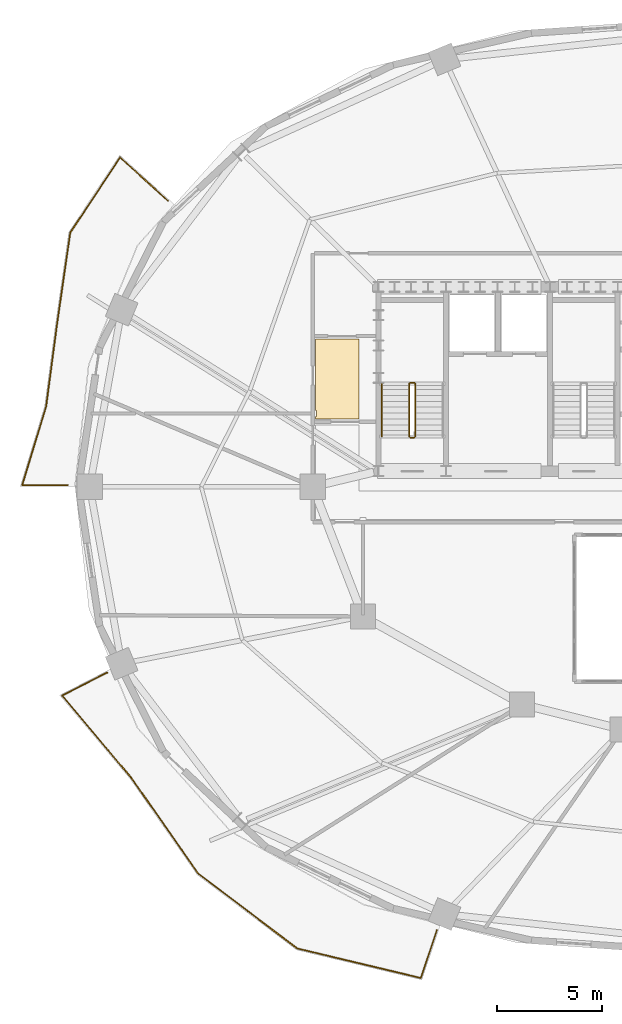
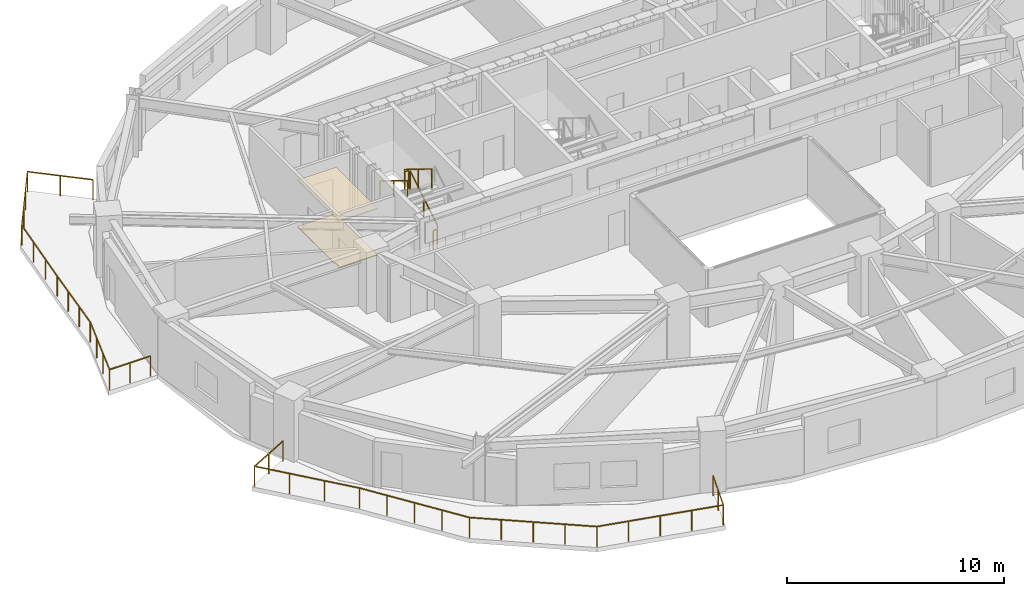
# One storey, part 10 of 12: 7 railings, 2 coverings.
"""IFC4 building model written with IfcOpenShell, lengths in metres."""

from ifc_helpers import new_model, si_unit, direction, frame, origin, origin_2d, place, context, subcontext, project, spatial, polyline, rectangle, outline, extrude, material, layer, layer_set, type_object, element, save


model = new_model("IFC4")

# Units and contexts
model_context = context("Model", 3, precision=1e-05, world=origin(), true_north=direction((0.0, 1.0)))
body_context = subcontext(model_context, "Body", "Model", "MODEL_VIEW")
ifc_project = project(units=[si_unit("LENGTHUNIT", "METRE"), si_unit("AREAUNIT", "SQUARE_METRE"), si_unit("VOLUMEUNIT", "CUBIC_METRE"), si_unit("PLANEANGLEUNIT", "RADIAN"), si_unit("MASSUNIT", "GRAM", prefix="KILO")], contexts=[model_context])

# Site, building, storey
site_placement = place(None, origin())
site = spatial("IfcSite", under=ifc_project, at=site_placement, CompositionType="ELEMENT")
building_placement = place(site_placement, origin())
building = spatial("IfcBuilding", under=site, at=building_placement, Name="Haldorwick Loom Tower", CompositionType="ELEMENT")
storey_placement = place(building_placement, frame((0.0, 0.0, 113.89990234375)))
storey = spatial("IfcBuildingStorey", under=building, at=storey_placement, Name="L30", CompositionType="ELEMENT", Elevation=113.89990234375)

# Coverings
ifc_material_1 = material(Name="Mineral Fibre Acoustic Ceiling Tile")
ifc_layer_1 = layer(ifc_material_1, 0.054931640625, Name="Mineral Fibre Acoustic Ceiling Tile")
ifc_layer_set_1 = layer_set([ifc_layer_1], Name="Mineral Fibre Acoustic Ceiling Tile")
covering_type_1 = type_object("IfcCoveringType", Name="ARC-COV-CEIL2", PredefinedType="CEILING", material=ifc_layer_set_1)
covering_1_placement = place(storey_placement, frame((0.0, 0.0, 2.59521484375)))
element("IfcCovering", 1, at=covering_1_placement, inside=storey, type_object=covering_type_1, Name="L30 Acoustic Suspended Ceiling 2", PredefinedType="CEILING", context=body_context, shape_type="SweptSolid", body=[
    extrude(outline(polyline([(18.969970703125, 29.639892578125), (18.971923828125, 29.639892578125), (18.973876953125, 29.6396484375), (18.975830078125, 29.63916015625), (18.977783203125, 29.638427734375), (18.9794921875, 29.6376953125), (18.981201171875, 29.63671875), (18.982666015625, 29.635498046875), (18.984130859375, 29.634033203125), (18.985595703125, 29.6328125), (18.986572265625, 29.631103515625), (18.987548828125, 29.62939453125), (18.988525390625, 29.627685546875), (18.989013671875, 29.625732421875), (18.989501953125, 29.623779296875), (18.989990234375, 29.6220703125), (18.989990234375, 29.6201171875), (18.989990234375, 29.3798828125), (18.989990234375, 29.3779296875), (18.989501953125, 29.376220703125), (18.989013671875, 29.374267578125), (18.988525390625, 29.372314453125), (18.987548828125, 29.37060546875), (18.986572265625, 29.368896484375), (18.985595703125, 29.3671875), (18.984130859375, 29.365966796875), (18.982666015625, 29.364501953125), (18.981201171875, 29.36328125), (18.9794921875, 29.3623046875), (18.977783203125, 29.361572265625), (18.975830078125, 29.36083984375), (18.973876953125, 29.3603515625), (18.971923828125, 29.360107421875), (18.969970703125, 29.360107421875), (18.93994140625, 29.360107421875), (18.93994140625, 29.239990234375), (21.0, 29.239990234375), (21.0, 33.06005859375), (18.93994140625, 33.06005859375), (18.93994140625, 29.639892578125), (18.969970703125, 29.639892578125)])), origin(), (0.0, 0.0, 1.0), 0.054931640625),
])
ifc_material_2 = material(Name="Polished Aggregate Terrazzo Finish")
ifc_layer_2 = layer(ifc_material_2, 0.044921875, Name="Polished Aggregate Terrazzo Finish")
ifc_layer_set_2 = layer_set([ifc_layer_2], Name="Polished Aggregate Terrazzo Finish")
covering_type_2 = type_object("IfcCoveringType", Name="ARC-COV-FLOOR2", PredefinedType="FLOORING", material=ifc_layer_set_2)
covering_2_placement = place(storey_placement, origin())
element("IfcCovering", 2, at=covering_2_placement, inside=storey, type_object=covering_type_2, Name="L30 Floor Finish 2", PredefinedType="FLOORING", context=body_context, shape_type="SweptSolid", body=[
    extrude(outline(polyline([(18.969970703125, 29.639892578125), (18.971923828125, 29.639892578125), (18.973876953125, 29.6396484375), (18.975830078125, 29.63916015625), (18.977783203125, 29.638427734375), (18.9794921875, 29.6376953125), (18.981201171875, 29.63671875), (18.982666015625, 29.635498046875), (18.984130859375, 29.634033203125), (18.985595703125, 29.6328125), (18.986572265625, 29.631103515625), (18.987548828125, 29.62939453125), (18.988525390625, 29.627685546875), (18.989013671875, 29.625732421875), (18.989501953125, 29.623779296875), (18.989990234375, 29.6220703125), (18.989990234375, 29.6201171875), (18.989990234375, 29.3798828125), (18.989990234375, 29.3779296875), (18.989501953125, 29.376220703125), (18.989013671875, 29.374267578125), (18.988525390625, 29.372314453125), (18.987548828125, 29.37060546875), (18.986572265625, 29.368896484375), (18.985595703125, 29.3671875), (18.984130859375, 29.365966796875), (18.982666015625, 29.364501953125), (18.981201171875, 29.36328125), (18.9794921875, 29.3623046875), (18.977783203125, 29.361572265625), (18.975830078125, 29.36083984375), (18.973876953125, 29.3603515625), (18.971923828125, 29.360107421875), (18.969970703125, 29.360107421875), (18.93994140625, 29.360107421875), (18.93994140625, 29.239990234375), (21.0, 29.239990234375), (21.0, 33.06005859375), (18.93994140625, 33.06005859375), (18.93994140625, 29.639892578125), (18.969970703125, 29.639892578125)])), origin(), (0.0, 0.0, 1.0), 0.045166015625),
])

# Railings
ifc_material_3 = material(Name="Galvanized Steel CSA G40.21 350W", Category="steel")
railing_type_1 = type_object("IfcRailingType", Name="ARC-RLG-BAL115", PredefinedType="BALUSTRADE", material=ifc_material_3)
railing_1_placement = place(storey_placement, frame((24.728271484375, 4.805908203125, 0.0)))
element("IfcRailing", 3, at=railing_1_placement, inside=storey, type_object=railing_type_1, Name="L30 Outdoor Terrace Guardrail SLB-L30-BAL_SW-1", PredefinedType="BALUSTRADE", context=body_context, shape_type="SweptSolid", body=[
    extrude(rectangle(XDim=0.048095703125, YDim=0.048095703125, at=origin_2d()), frame((0.0, 0.0, 1.1259765625), z_axis=(-0.318238910111, -0.948010546403, 0.0), x_axis=(0.948010546403, -0.318238910111, 0.0)), (0.0, 0.0, 1.0), 2.40283203125),
    extrude(rectangle(XDim=0.048095703125, YDim=0.048095703125, at=origin_2d()), frame((-0.7646484375, -2.27783203125, 1.1259765625), z_axis=(-0.972594900336, 0.232506257638, 0.0), x_axis=(-0.232506257638, -0.972594900336, 0.0)), (0.0, 0.0, 1.0), 6.073486328125),
    extrude(rectangle(XDim=0.048095703125, YDim=0.048095703125, at=origin_2d()), frame((-6.671630859375, -0.86572265625, 1.1259765625), z_axis=(-0.797775550667, 0.602954534569, 0.0), x_axis=(-0.602954534569, -0.797775550667, 0.0)), (0.0, 0.0, 1.0), 5.914794921875),
    extrude(rectangle(XDim=0.048095703125, YDim=0.048095703125, at=origin_2d()), frame((-11.390380859375, 2.70068359375, 1.1259765625), z_axis=(-0.573128302609, 0.819465648303, 0.0), x_axis=(-0.819465648303, -0.573128302609, 0.0)), (0.0, 0.0, 1.0), 5.5927734375),
    extrude(rectangle(XDim=0.048095703125, YDim=0.048095703125, at=origin_2d()), frame((-14.595703125, 7.28369140625, 1.1259765625), z_axis=(-0.616308261658, 0.787505001008, 0.0), x_axis=(-0.787505001008, -0.616308261658, 0.0)), (0.0, 0.0, 1.0), 0.007080078125),
    extrude(rectangle(XDim=0.048095703125, YDim=0.048095703125, at=origin_2d()), frame((-14.60009765625, 7.289306640625, 1.1259765625), z_axis=(-0.644175333561, 0.764877859289, 0.0), x_axis=(-0.764877859289, -0.644175333561, 0.0)), (0.0, 0.0, 1.0), 5.12744140625),
    extrude(rectangle(XDim=0.048095703125, YDim=0.048095703125, at=origin_2d()), frame((-17.903076171875, 11.211181640625, 1.1259765625), z_axis=(0.889438158994, 0.457055534181, 0.0), x_axis=(-0.457055534181, 0.889438158994, 0.0)), (0.0, 0.0, 1.0), 2.414306640625),
    extrude(rectangle(XDim=0.0419921875, YDim=0.0419921875, at=origin_2d()), origin(), (0.0, 0.0, 1.0), 1.101806640625),
    extrude(rectangle(XDim=0.0419921875, YDim=0.0419921875, at=origin_2d()), frame((-0.38232421875, -1.138916015625, 0.0)), (0.0, 0.0, 1.0), 1.101806640625),
    extrude(rectangle(XDim=0.0419921875, YDim=0.0419921875, at=origin_2d()), frame((-0.7646484375, -2.27783203125, 0.0)), (0.0, 0.0, 1.0), 1.101806640625),
    extrude(rectangle(XDim=0.0419921875, YDim=0.0419921875, at=origin_2d()), frame((-2.241455078125, -1.9248046875, 0.0)), (0.0, 0.0, 1.0), 1.101806640625),
    extrude(rectangle(XDim=0.0419921875, YDim=0.0419921875, at=origin_2d()), frame((-3.71826171875, -1.57177734375, 0.0)), (0.0, 0.0, 1.0), 1.101806640625),
    extrude(rectangle(XDim=0.0419921875, YDim=0.0419921875, at=origin_2d()), frame((-5.19482421875, -1.21875, 0.0)), (0.0, 0.0, 1.0), 1.101806640625),
    extrude(rectangle(XDim=0.0419921875, YDim=0.0419921875, at=origin_2d()), frame((-6.671630859375, -0.86572265625, 0.0)), (0.0, 0.0, 1.0), 1.101806640625),
    extrude(rectangle(XDim=0.0419921875, YDim=0.0419921875, at=origin_2d()), frame((-7.851318359375, 0.02587890625, 0.0)), (0.0, 0.0, 1.0), 1.101806640625),
    extrude(rectangle(XDim=0.0419921875, YDim=0.0419921875, at=origin_2d()), frame((-9.031005859375, 0.91748046875, 0.0)), (0.0, 0.0, 1.0), 1.101806640625),
    extrude(rectangle(XDim=0.0419921875, YDim=0.0419921875, at=origin_2d()), frame((-10.210693359375, 1.80908203125, 0.0)), (0.0, 0.0, 1.0), 1.101806640625),
    extrude(rectangle(XDim=0.0419921875, YDim=0.0419921875, at=origin_2d()), frame((-11.390380859375, 2.70068359375, 0.0)), (0.0, 0.0, 1.0), 1.101806640625),
    extrude(rectangle(XDim=0.0419921875, YDim=0.0419921875, at=origin_2d()), frame((-12.191650390625, 3.846435546875, 0.0)), (0.0, 0.0, 1.0), 1.101806640625),
    extrude(rectangle(XDim=0.0419921875, YDim=0.0419921875, at=origin_2d()), frame((-12.9931640625, 4.9921875, 0.0)), (0.0, 0.0, 1.0), 1.101806640625),
    extrude(rectangle(XDim=0.0419921875, YDim=0.0419921875, at=origin_2d()), frame((-13.79443359375, 6.137939453125, 0.0)), (0.0, 0.0, 1.0), 1.101806640625),
    extrude(rectangle(XDim=0.0419921875, YDim=0.0419921875, at=origin_2d()), frame((-14.595703125, 7.28369140625, 0.0)), (0.0, 0.0, 1.0), 1.101806640625),
    extrude(rectangle(XDim=0.0419921875, YDim=0.0419921875, at=origin_2d()), frame((-15.701171875, 8.5966796875, 0.0)), (0.0, 0.0, 1.0), 1.101806640625),
    extrude(rectangle(XDim=0.0419921875, YDim=0.0419921875, at=origin_2d()), frame((-16.802001953125, 9.90380859375, 0.0)), (0.0, 0.0, 1.0), 1.101806640625),
    extrude(rectangle(XDim=0.0419921875, YDim=0.0419921875, at=origin_2d()), frame((-17.903076171875, 11.211181640625, 0.0)), (0.0, 0.0, 1.0), 1.101806640625),
    extrude(rectangle(XDim=0.0419921875, YDim=0.0419921875, at=origin_2d()), frame((-16.829345703125, 11.762939453125, 0.0)), (0.0, 0.0, 1.0), 1.101806640625),
    extrude(rectangle(XDim=0.0419921875, YDim=0.0419921875, at=origin_2d()), frame((-15.755615234375, 12.314697265625, 0.0)), (0.0, 0.0, 1.0), 1.101806640625),
])
railing_2_placement = place(storey_placement, frame((7.09912109375, 26.080078125, 0.0)))
element("IfcRailing", 4, at=railing_2_placement, inside=storey, type_object=railing_type_1, Name="L30 Outdoor Terrace Guardrail SLB-L30-BAL_WNW-1", PredefinedType="BALUSTRADE", context=body_context, shape_type="SweptSolid", body=[
    extrude(rectangle(XDim=0.048095703125, YDim=0.048095703125, at=origin_2d()), frame((0.0, 0.0, 1.1259765625), z_axis=(-1.0, 0.0, 0.0), x_axis=(0.0, -1.0, 0.0)), (0.0, 0.0, 1.0), 2.1787109375),
    extrude(rectangle(XDim=0.048095703125, YDim=0.048095703125, at=origin_2d()), frame((-2.1787109375, 0.0, 1.1259765625), z_axis=(0.290649973288, 0.956829448244, 0.0), x_axis=(-0.956829448244, 0.290649973288, 0.0)), (0.0, 0.0, 1.0), 3.911865234375),
    extrude(rectangle(XDim=0.048095703125, YDim=0.048095703125, at=origin_2d()), frame((-1.041748046875, 3.742919921875, 1.1259765625), z_axis=(0.259973473448, 0.965615758521, 0.0), x_axis=(-0.965615758521, 0.259973473448, 0.0)), (0.0, 0.0, 1.0), 0.006591796875),
    extrude(rectangle(XDim=0.048095703125, YDim=0.048095703125, at=origin_2d()), frame((-1.0400390625, 3.749267578125, 1.1259765625), z_axis=(0.146548661089, 0.989203462354, 0.0), x_axis=(-0.989203462354, 0.146548661089, 0.0)), (0.0, 0.0, 1.0), 0.006591796875),
    extrude(rectangle(XDim=0.048095703125, YDim=0.048095703125, at=origin_2d()), frame((-1.0390625, 3.755859375, 1.1259765625), z_axis=(0.131713853112, 0.991287779052, 0.0), x_axis=(-0.991287779052, 0.131713853112, 0.0)), (0.0, 0.0, 1.0), 3.9814453125),
    extrude(rectangle(XDim=0.048095703125, YDim=0.048095703125, at=origin_2d()), frame((-0.5146484375, 7.70263671875, 1.1259765625), z_axis=(0.142758302279, 0.989757579981, 0.0), x_axis=(-0.989757579981, 0.142758302279, 0.0)), (0.0, 0.0, 1.0), 4.396728515625),
    extrude(rectangle(XDim=0.048095703125, YDim=0.048095703125, at=origin_2d()), frame((0.113037109375, 12.054443359375, 1.1259765625), z_axis=(0.551758078571, 0.83400421026, 0.0), x_axis=(-0.83400421026, 0.551758078571, 0.0)), (0.0, 0.0, 1.0), 4.313720703125),
    extrude(rectangle(XDim=0.048095703125, YDim=0.048095703125, at=origin_2d()), frame((2.4931640625, 15.652099609375, 1.1259765625), z_axis=(0.741481530949, -0.670973277606, 0.0), x_axis=(0.670973277606, 0.741481530949, 0.0)), (0.0, 0.0, 1.0), 3.092041015625),
    extrude(rectangle(XDim=0.0419921875, YDim=0.0419921875, at=origin_2d()), origin(), (0.0, 0.0, 1.0), 1.101806640625),
    extrude(rectangle(XDim=0.0419921875, YDim=0.0419921875, at=origin_2d()), frame((-1.08935546875, 0.0, 0.0)), (0.0, 0.0, 1.0), 1.101806640625),
    extrude(rectangle(XDim=0.0419921875, YDim=0.0419921875, at=origin_2d()), frame((-2.1787109375, 0.0, 0.0)), (0.0, 0.0, 1.0), 1.101806640625),
    extrude(rectangle(XDim=0.0419921875, YDim=0.0419921875, at=origin_2d()), frame((-1.7998046875, 1.24755859375, 0.0)), (0.0, 0.0, 1.0), 1.101806640625),
    extrude(rectangle(XDim=0.0419921875, YDim=0.0419921875, at=origin_2d()), frame((-1.420654296875, 2.495361328125, 0.0)), (0.0, 0.0, 1.0), 1.101806640625),
    extrude(rectangle(XDim=0.0419921875, YDim=0.0419921875, at=origin_2d()), frame((-1.041748046875, 3.742919921875, 0.0)), (0.0, 0.0, 1.0), 1.101806640625),
    extrude(rectangle(XDim=0.0419921875, YDim=0.0419921875, at=origin_2d()), frame((-0.8642578125, 5.071533203125, 0.0)), (0.0, 0.0, 1.0), 1.101806640625),
    extrude(rectangle(XDim=0.0419921875, YDim=0.0419921875, at=origin_2d()), frame((-0.689453125, 6.386962890625, 0.0)), (0.0, 0.0, 1.0), 1.101806640625),
    extrude(rectangle(XDim=0.0419921875, YDim=0.0419921875, at=origin_2d()), frame((-0.5146484375, 7.70263671875, 0.0)), (0.0, 0.0, 1.0), 1.101806640625),
    extrude(rectangle(XDim=0.0419921875, YDim=0.0419921875, at=origin_2d()), frame((-0.305419921875, 9.1533203125, 0.0)), (0.0, 0.0, 1.0), 1.101806640625),
    extrude(rectangle(XDim=0.0419921875, YDim=0.0419921875, at=origin_2d()), frame((-0.09619140625, 10.603759765625, 0.0)), (0.0, 0.0, 1.0), 1.101806640625),
    extrude(rectangle(XDim=0.0419921875, YDim=0.0419921875, at=origin_2d()), frame((0.113037109375, 12.054443359375, 0.0)), (0.0, 0.0, 1.0), 1.101806640625),
    extrude(rectangle(XDim=0.0419921875, YDim=0.0419921875, at=origin_2d()), frame((0.906494140625, 13.253662109375, 0.0)), (0.0, 0.0, 1.0), 1.101806640625),
    extrude(rectangle(XDim=0.0419921875, YDim=0.0419921875, at=origin_2d()), frame((1.69970703125, 14.452880859375, 0.0)), (0.0, 0.0, 1.0), 1.101806640625),
    extrude(rectangle(XDim=0.0419921875, YDim=0.0419921875, at=origin_2d()), frame((2.4931640625, 15.652099609375, 0.0)), (0.0, 0.0, 1.0), 1.101806640625),
    extrude(rectangle(XDim=0.0419921875, YDim=0.0419921875, at=origin_2d()), frame((3.6396484375, 14.61474609375, 0.0)), (0.0, 0.0, 1.0), 1.101806640625),
    extrude(rectangle(XDim=0.0419921875, YDim=0.0419921875, at=origin_2d()), frame((4.785888671875, 13.577392578125, 0.0)), (0.0, 0.0, 1.0), 1.101806640625),
])
ifc_material_4 = material(Name="Steel CSA G40.21 350W", Category="steel")
railing_type_2 = type_object("IfcRailingType", Name="ARC-RLG-GUARD112", PredefinedType="GUARDRAIL", material=ifc_material_4)
railing_3_placement = place(storey_placement, frame((23.699951171875, 28.39990234375, 0.172607421875)))
element("IfcRailing", 5, at=railing_3_placement, inside=storey, type_object=railing_type_2, Name="L30 ST-01 stair guard 1", PredefinedType="GUARDRAIL", context=body_context, shape_type="SweptSolid", body=[
    extrude(rectangle(XDim=0.048095703125, YDim=0.048095703125, at=origin_2d()), frame((0.0, 0.0, 1.076171875), z_axis=(0.0, 0.851400495292, 0.524516154772), x_axis=(-1.0, 0.0, 0.0)), (0.0, 0.0, 1.0), 2.9599609375),
    extrude(rectangle(XDim=0.0419921875, YDim=0.0419921875, at=origin_2d()), origin(), (0.0, 0.0, 1.0), 1.052001953125),
    extrude(rectangle(XDim=0.0419921875, YDim=0.0419921875, at=origin_2d()), frame((0.0, 1.260009765625, 0.7763671875)), (0.0, 0.0, 1.0), 1.052001953125),
    extrude(rectangle(XDim=0.0419921875, YDim=0.0419921875, at=origin_2d()), frame((0.0, 2.52001953125, 1.552490234375)), (0.0, 0.0, 1.0), 1.052001953125),
])
railing_4_placement = place(storey_placement, frame((23.64990234375, 30.969970703125, 1.72509765625)))
element("IfcRailing", 6, at=railing_4_placement, inside=storey, type_object=railing_type_2, Name="L30 ST-01 stair guard 2", PredefinedType="GUARDRAIL", context=body_context, shape_type="SweptSolid", body=[
    extrude(rectangle(XDim=0.048095703125, YDim=0.048095703125, at=origin_2d()), frame((0.0, 0.0, 1.076171875), z_axis=(-1.0, 0.0, 0.0), x_axis=(0.0, -1.0, 0.0)), (0.0, 0.0, 1.0), 0.199951171875),
    extrude(rectangle(XDim=0.0419921875, YDim=0.0419921875, at=origin_2d()), origin(), (0.0, 0.0, 1.0), 1.052001953125),
    extrude(rectangle(XDim=0.0419921875, YDim=0.0419921875, at=origin_2d()), frame((-0.199951171875, 0.0, 0.0)), (0.0, 0.0, 1.0), 1.052001953125),
])
railing_5_placement = place(storey_placement, frame((23.39990234375, 30.919921875, 1.897705078125)))
element("IfcRailing", 7, at=railing_5_placement, inside=storey, type_object=railing_type_2, Name="L30 ST-01 stair guard 3", PredefinedType="GUARDRAIL", context=body_context, shape_type="SweptSolid", body=[
    extrude(rectangle(XDim=0.048095703125, YDim=0.048095703125, at=origin_2d()), frame((0.0, 0.0, 1.076171875), z_axis=(0.0, -0.851400495292, 0.524516154772), x_axis=(1.0, 0.0, 0.0)), (0.0, 0.0, 1.0), 2.9599609375),
    extrude(rectangle(XDim=0.0419921875, YDim=0.0419921875, at=origin_2d()), origin(), (0.0, 0.0, 1.0), 1.052001953125),
    extrude(rectangle(XDim=0.0419921875, YDim=0.0419921875, at=origin_2d()), frame((0.0, -1.260009765625, 0.7763671875)), (0.0, 0.0, 1.0), 1.052001953125),
    extrude(rectangle(XDim=0.0419921875, YDim=0.0419921875, at=origin_2d()), frame((0.0, -2.52001953125, 1.552490234375)), (0.0, 0.0, 1.0), 1.052001953125),
])
railing_6_placement = place(storey_placement, frame((23.64990234375, 28.35009765625, 0.0)))
element("IfcRailing", 8, at=railing_6_placement, inside=storey, type_object=railing_type_2, Name="L30 ST-01 stair guard 4", PredefinedType="GUARDRAIL", context=body_context, shape_type="SweptSolid", body=[
    extrude(rectangle(XDim=0.048095703125, YDim=0.048095703125, at=origin_2d()), frame((0.0, 0.0, 1.076171875), z_axis=(-1.0, 0.0, 0.0), x_axis=(0.0, -1.0, 0.0)), (0.0, 0.0, 1.0), 0.199951171875),
    extrude(rectangle(XDim=0.0419921875, YDim=0.0419921875, at=origin_2d()), origin(), (0.0, 0.0, 1.0), 1.052001953125),
    extrude(rectangle(XDim=0.0419921875, YDim=0.0419921875, at=origin_2d()), frame((-0.199951171875, 0.0, 0.0)), (0.0, 0.0, 1.0), 1.052001953125),
])
railing_type_3 = type_object("IfcRailingType", Name="ARC-RLG-HAND092", PredefinedType="HANDRAIL", material=ifc_material_4)
railing_7_placement = place(storey_placement, frame((22.10009765625, 30.919921875, 1.897705078125)))
element("IfcRailing", 9, at=railing_7_placement, inside=storey, type_object=railing_type_3, Name="L30 ST-01 stair handrail 2", PredefinedType="HANDRAIL", context=body_context, shape_type="SweptSolid", body=[
    extrude(rectangle(XDim=0.048095703125, YDim=0.048095703125, at=origin_2d()), frame((0.0, 0.0, 0.8759765625), z_axis=(0.0, -0.851400495292, 0.524516154772), x_axis=(1.0, 0.0, 0.0)), (0.0, 0.0, 1.0), 2.9599609375),
    extrude(rectangle(XDim=0.0419921875, YDim=0.0419921875, at=origin_2d()), origin(), (0.0, 0.0, 1.0), 0.851806640625),
    extrude(rectangle(XDim=0.0419921875, YDim=0.0419921875, at=origin_2d()), frame((0.0, -1.260009765625, 0.7763671875)), (0.0, 0.0, 1.0), 0.851806640625),
    extrude(rectangle(XDim=0.0419921875, YDim=0.0419921875, at=origin_2d()), frame((0.0, -2.52001953125, 1.552490234375)), (0.0, 0.0, 1.0), 0.851806640625),
])

save(model, "model.ifc")
